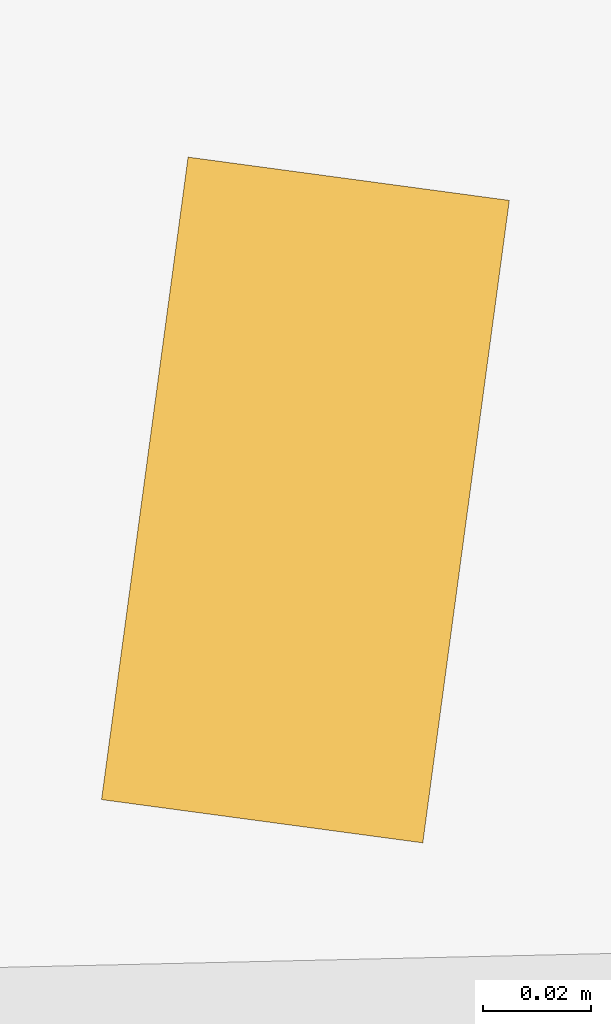
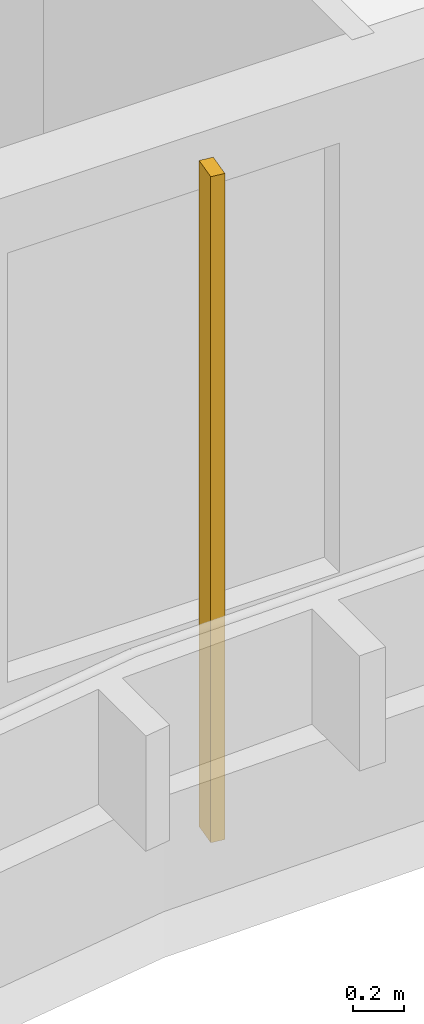
# One storey, part 13 of 18: 1 shading device.
"""IFC4 building model written with IfcOpenShell, lengths in metres."""

from ifc_helpers import new_model, si_unit, direction, frame, origin, origin_2d, place, context, subcontext, project, spatial, rectangle, extrude, source, transform, mapped, material, material_profile, profile_set, type_object, element, save


model = new_model("IFC4")

# Units and contexts
model_context = context("Model", 3, precision=1e-05, world=origin(), true_north=direction((0.0, 1.0)))
body_context = subcontext(model_context, "Body", "Model", "MODEL_VIEW")
ifc_project = project(units=[si_unit("LENGTHUNIT", "METRE"), si_unit("AREAUNIT", "SQUARE_METRE"), si_unit("VOLUMEUNIT", "CUBIC_METRE"), si_unit("PLANEANGLEUNIT", "RADIAN"), si_unit("MASSUNIT", "GRAM", prefix="KILO")], contexts=[model_context])

# Site, building, storey
site_placement = place(None, origin())
site = spatial("IfcSite", under=ifc_project, at=site_placement, CompositionType="ELEMENT")
building_placement = place(site_placement, origin())
building = spatial("IfcBuilding", under=site, at=building_placement, Name="Kilnfold Tower and Market Hall", CompositionType="ELEMENT")
storey_placement = place(building_placement, frame((0.0, 0.0, 312.0)))
storey = spatial("IfcBuildingStorey", under=building, at=storey_placement, Name="L78", CompositionType="ELEMENT", Elevation=312.0)

# Shading device
ifc_material = material(Name="Terracotta", Category="masonry")
ifc_material_profile = material_profile(ifc_material, rectangle(XDim=0.06005859375, YDim=0.1201171875, at=origin_2d()), Name="BAG 60x120")
ifc_profile_set = profile_set([ifc_material_profile], Name="Terracotta")
shading_device_type = type_object("IfcShadingDeviceType", Name="BAGUETTE", PredefinedType="USERDEFINED", material=ifc_profile_set)
shared_shape = source(origin(), body_context, "Body", "SweptSolid", [
    extrude(rectangle(XDim=0.06005859375, YDim=0.1201171875, at=origin_2d()), origin(), (0.0, 0.0, 1.0), 3.179931640625),
])
shading_device_placement = place(storey_placement, frame((4.10009765625, -23.800048828125, 0.0), z_axis=(0.0, 0.0, 1.0), x_axis=(0.991047860354, -0.133507072804, 0.0)))
element("IfcShadingDevice", 1, at=shading_device_placement, inside=storey, type_object=shading_device_type, Name="Terracotta baguette L78 S", ObjectType="BAGUETTE", PredefinedType="USERDEFINED", context=body_context, shape_type="MappedRepresentation", body=[
    mapped(shared_shape, transform((0.0, 0.0, 0.0))),
])

save(model, "model.ifc")
